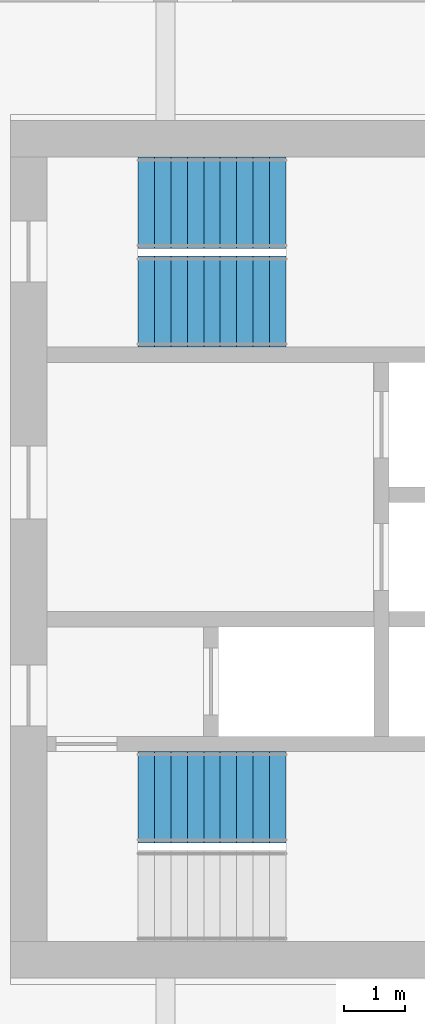
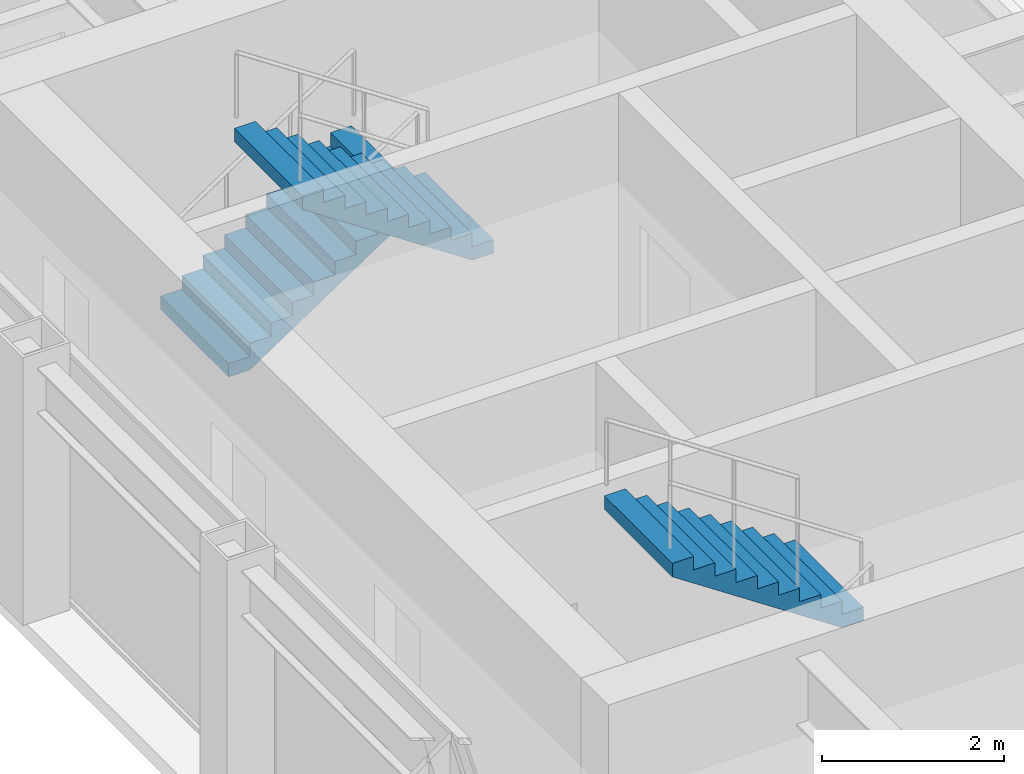
# One storey, part 14 of 17: 3 stair flights, 2 elements without a shape of their own.
"""IFC4 building model written with IfcOpenShell, lengths in metres."""

from ifc_helpers import new_model, si_unit, direction, frame, origin, place, context, subcontext, project, spatial, polyline, outline, extrude, material, type_object, element, aggregate, save


model = new_model("IFC4")

# Units and contexts
model_context = context("Model", 3, precision=1e-05, world=origin(), true_north=direction((0.0, 1.0)))
body_context = subcontext(model_context, "Body", "Model", "MODEL_VIEW")
ifc_project = project(units=[si_unit("LENGTHUNIT", "METRE"), si_unit("AREAUNIT", "SQUARE_METRE"), si_unit("VOLUMEUNIT", "CUBIC_METRE"), si_unit("PLANEANGLEUNIT", "RADIAN"), si_unit("MASSUNIT", "GRAM", prefix="KILO")], contexts=[model_context])

# Site, building, storey
site_placement = place(None, origin())
site = spatial("IfcSite", under=ifc_project, at=site_placement, CompositionType="ELEMENT")
building_placement = place(site_placement, origin())
building = spatial("IfcBuilding", under=site, at=building_placement, Name="Msasa Ring Tower", CompositionType="ELEMENT")
storey_placement = place(building_placement, frame((0.0, 0.0, 136.39990234375)))
storey = spatial("IfcBuildingStorey", under=building, at=storey_placement, Name="L35", CompositionType="ELEMENT", Elevation=136.39990234375)

# Stair, stair flight
ifc_material_1 = material(Name="Concrete C40/50", Category="concrete")
stair_type = type_object("IfcStairType", Name="STC CORE STAIR 20 RISERS 180", PredefinedType="HALF_TURN_STAIR", material=ifc_material_1)
stair_1_placement = place(storey_placement, origin())
stair_1 = element("IfcStair", 1, at=stair_1_placement, inside=storey, type_object=stair_type, Name="Core stair SEA L35", PredefinedType="HALF_TURN_STAIR")
ifc_material_2 = material(Name="Concrete C40/50", Category="concrete")
stair_flight_type = type_object("IfcStairFlightType", Name="ST14 CORE STAIR FLIGHT 1500 10 RISERS 180", PredefinedType="STRAIGHT", material=ifc_material_2)
stair_flight_1_placement = place(storey_placement, frame((13.22998046875, -4.074951171875, 1.800048828125), z_axis=(0.0, 0.0, 1.0), x_axis=(-1.0, 0.0, 0.0)))
stair_flight_1 = element("IfcStairFlight", 2, at=stair_flight_1_placement, type_object=stair_flight_type, Name="SEA flight 2", NumberOfRisers=10, NumberOfTreads=9, PredefinedType="STRAIGHT", RiserHeight=0.18, TreadLength=0.27, context=body_context, shape_type="SweptSolid", body=[
    extrude(outline(polyline([(0.0, 0.0), (0.0, 0.179931640625), (0.27001953125, 0.179931640625), (0.27001953125, 0.360107421875), (0.5400390625, 0.360107421875), (0.5400390625, 0.5400390625), (0.81005859375, 0.5400390625), (0.81005859375, 0.719970703125), (1.080078125, 0.719970703125), (1.080078125, 0.89990234375), (1.35009765625, 0.89990234375), (1.35009765625, 1.080078125), (1.6201171875, 1.080078125), (1.6201171875, 1.260009765625), (1.889892578125, 1.260009765625), (1.889892578125, 1.43994140625), (2.159912109375, 1.43994140625), (2.159912109375, 1.6201171875), (2.429931640625, 1.6201171875), (2.429931640625, 1.800048828125), (2.429931640625, 1.43994140625), (0.270263671875, 0.0), (0.0, 0.0)])), frame((0.0, 0.75, 0.0), z_axis=(0.0, -1.0, 0.0), x_axis=(1.0, 0.0, 0.0)), (0.0, 0.0, 1.0), 1.5),
])
aggregate(stair_1, [stair_flight_1])

# Stair, stair flights
stair_2_placement = place(storey_placement, origin())
stair_2 = element("IfcStair", 3, at=stair_2_placement, inside=storey, type_object=stair_type, Name="Core stair SEB L35", PredefinedType="HALF_TURN_STAIR")
stair_flight_2_placement = place(storey_placement, frame((10.800048828125, 5.699951171875, 0.0), z_axis=(0.0, 0.0, 1.0), x_axis=(1.0, 0.0, 0.0)))
stair_flight_2 = element("IfcStairFlight", 4, at=stair_flight_2_placement, type_object=stair_flight_type, Name="SEB flight 1", NumberOfRisers=10, NumberOfTreads=9, PredefinedType="STRAIGHT", RiserHeight=0.18, TreadLength=0.27, context=body_context, shape_type="SweptSolid", body=[
    extrude(outline(polyline([(0.0, 0.0), (0.0, 0.179931640625), (0.27001953125, 0.179931640625), (0.27001953125, 0.360107421875), (0.5400390625, 0.360107421875), (0.5400390625, 0.5400390625), (0.81005859375, 0.5400390625), (0.81005859375, 0.719970703125), (1.080078125, 0.719970703125), (1.080078125, 0.89990234375), (1.35009765625, 0.89990234375), (1.35009765625, 1.080078125), (1.6201171875, 1.080078125), (1.6201171875, 1.260009765625), (1.889892578125, 1.260009765625), (1.889892578125, 1.43994140625), (2.159912109375, 1.43994140625), (2.159912109375, 1.6201171875), (2.429931640625, 1.6201171875), (2.429931640625, 1.800048828125), (2.429931640625, 1.43994140625), (0.270263671875, 0.0), (0.0, 0.0)])), frame((0.0, 0.75, 0.0), z_axis=(0.0, -1.0, 0.0), x_axis=(1.0, 0.0, 0.0)), (0.0, 0.0, 1.0), 1.5),
])
stair_flight_3_placement = place(storey_placement, frame((13.22998046875, 4.074951171875, 1.800048828125), z_axis=(0.0, 0.0, 1.0), x_axis=(-1.0, 0.0, 0.0)))
stair_flight_3 = element("IfcStairFlight", 5, at=stair_flight_3_placement, type_object=stair_flight_type, Name="SEB flight 2", NumberOfRisers=10, NumberOfTreads=9, PredefinedType="STRAIGHT", RiserHeight=0.18, TreadLength=0.27, context=body_context, shape_type="SweptSolid", body=[
    extrude(outline(polyline([(0.0, 0.0), (0.0, 0.179931640625), (0.27001953125, 0.179931640625), (0.27001953125, 0.360107421875), (0.5400390625, 0.360107421875), (0.5400390625, 0.5400390625), (0.81005859375, 0.5400390625), (0.81005859375, 0.719970703125), (1.080078125, 0.719970703125), (1.080078125, 0.89990234375), (1.35009765625, 0.89990234375), (1.35009765625, 1.080078125), (1.6201171875, 1.080078125), (1.6201171875, 1.260009765625), (1.889892578125, 1.260009765625), (1.889892578125, 1.43994140625), (2.159912109375, 1.43994140625), (2.159912109375, 1.6201171875), (2.429931640625, 1.6201171875), (2.429931640625, 1.800048828125), (2.429931640625, 1.43994140625), (0.270263671875, 0.0), (0.0, 0.0)])), frame((0.0, 0.75, 0.0), z_axis=(0.0, -1.0, 0.0), x_axis=(1.0, 0.0, 0.0)), (0.0, 0.0, 1.0), 1.5),
])
aggregate(stair_2, [stair_flight_2, stair_flight_3])

save(model, "model.ifc")
